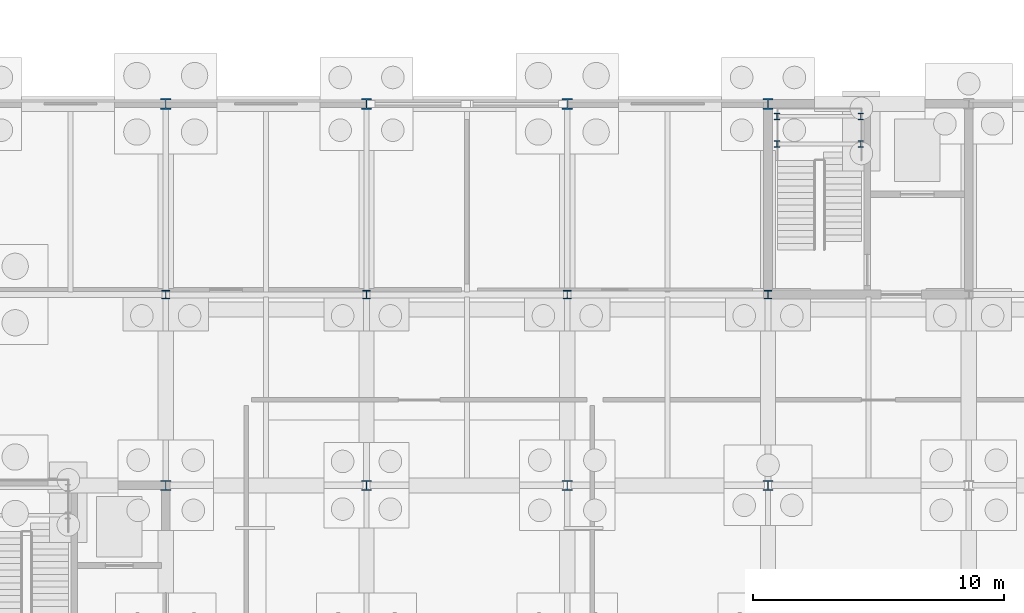
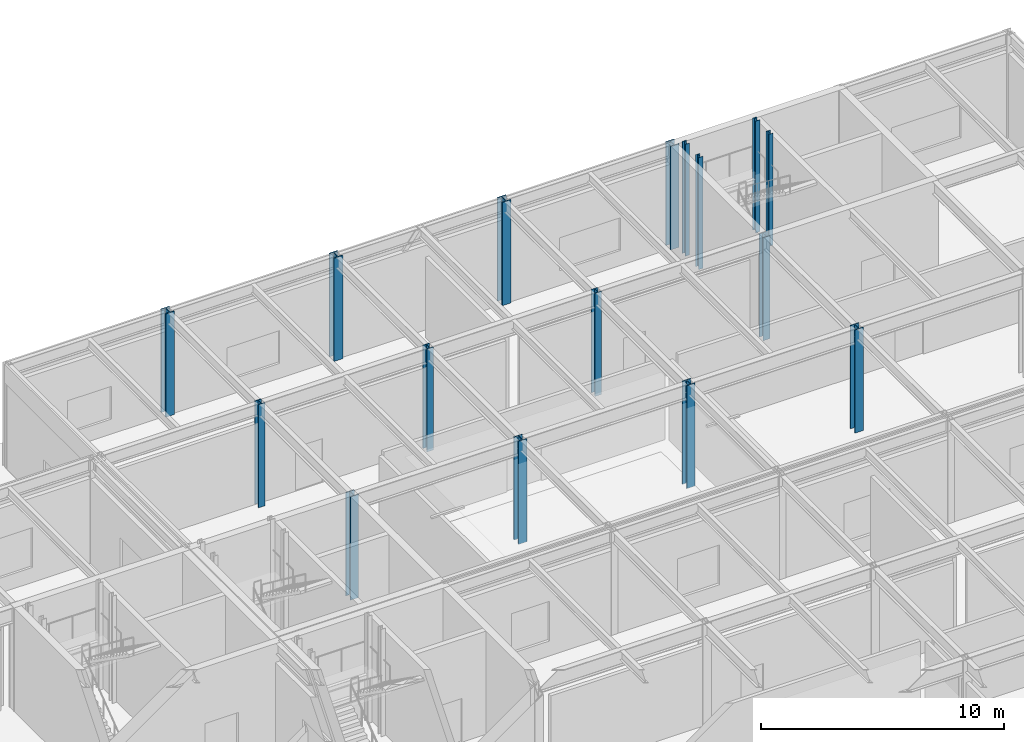
# One storey, part 26 of 62: 16 columns.
"""IFC4 building model written with IfcOpenShell, lengths in metres."""

from ifc_helpers import new_model, si_unit, direction, frame, origin, origin_2d, place, context, subcontext, project, spatial, i_section, extrude, material, material_profile, profile_set, type_object, element, save


model = new_model("IFC4")

# Units and contexts
model_context = context("Model", 3, precision=1e-05, world=origin(), true_north=direction((0.0, 1.0)))
body_context = subcontext(model_context, "Body", "Model", "MODEL_VIEW")
ifc_project = project(units=[si_unit("LENGTHUNIT", "METRE"), si_unit("AREAUNIT", "SQUARE_METRE"), si_unit("VOLUMEUNIT", "CUBIC_METRE"), si_unit("PLANEANGLEUNIT", "RADIAN"), si_unit("MASSUNIT", "GRAM", prefix="KILO")], contexts=[model_context])

# Site, building, storey
site_placement = place(None, origin())
site = spatial("IfcSite", under=ifc_project, at=site_placement, CompositionType="ELEMENT")
building_placement = place(site_placement, origin())
building = spatial("IfcBuilding", under=site, at=building_placement, Name="Zulena Civic Courthouse", CompositionType="ELEMENT")
storey_placement = place(building_placement, origin())
storey = spatial("IfcBuildingStorey", under=building, at=storey_placement, Name="L00", CompositionType="ELEMENT", Elevation=0.0)

# Columns
ifc_material = material(Name="Steel ASTM A992 Grade 50", Category="steel")
ifc_material_profile_1 = material_profile(ifc_material, i_section(OverallWidth=0.2041015625, OverallDepth=0.257080078125, WebThickness=0.0087890625, FlangeThickness=0.015625, FilletRadius=0.0126953125, at=origin_2d()), Name="W10X45")
ifc_profile_set_1 = profile_set([ifc_material_profile_1], Name="Steel ASTM A992 Grade 50")
column_type_1 = type_object("IfcColumnType", Name="Col_W10X45", PredefinedType="COLUMN", material=ifc_profile_set_1)
for number, where, z_axis, x_axis, name in (
    (1, (156.360107421875, 51.60009765625, -0.22998046875), (0.0, 0.0, 1.0), (1.0, 0.0, 0.0), "col:lnd:K3B:L00:0:0"),
    (2, (159.699951171875, 51.60009765625, -0.22998046875), (0.0, 0.0, 1.0), (1.0, 0.0, 0.0), "col:lnd:K3B:L00:0:1"),
    (3, (156.360107421875, 52.699951171875, -0.22998046875), (0.0, 0.0, 1.0), (1.0, 0.0, 0.0), "col:lnd:K3B:L00:1:0"),
    (4, (159.699951171875, 52.699951171875, -0.22998046875), (0.0, 0.0, 1.0), (1.0, 0.0, 0.0), "col:lnd:K3B:L00:1:1"),
):
    element("IfcColumn", number, at=place(storey_placement, frame(where, z_axis=z_axis, x_axis=x_axis)), inside=storey, type_object=column_type_1, Name=name, PredefinedType="COLUMN", context=body_context, shape_type="SweptSolid", body=[
        extrude(i_section(OverallWidth=0.2041015625, OverallDepth=0.257080078125, WebThickness=0.0087890625, FlangeThickness=0.015625, FilletRadius=0.0126953125, at=origin_2d()), origin(), (0.0, 0.0, 1.0), 5.625),
    ])
ifc_material_profile_2 = material_profile(ifc_material, i_section(OverallWidth=0.31298828125, OverallDepth=0.3330078125, WebThickness=0.01806640625, FlangeThickness=0.0283203125, FilletRadius=0.01513671875, at=origin_2d()), Name="W12X120")
ifc_profile_set_2 = profile_set([ifc_material_profile_2], Name="Steel ASTM A992 Grade 50")
column_type_2 = type_object("IfcColumnType", Name="Col_W12X120", PredefinedType="COLUMN", material=ifc_profile_set_2)
for number, where, z_axis, x_axis, name in (
    (5, (132.0, 45.60009765625, 0.0), (0.0, 0.0, 1.0), (1.0, 0.0, 0.0), "col:V3:L00:132.0:45.6"),
    (6, (140.0, 45.60009765625, 0.0), (0.0, 0.0, 1.0), (1.0, 0.0, 0.0), "col:V3:L00:140.0:45.6"),
    (7, (148.0, 45.60009765625, 0.0), (0.0, 0.0, 1.0), (1.0, 0.0, 0.0), "col:V3:L00:148.0:45.6"),
    (8, (156.0, 45.60009765625, 0.0), (0.0, 0.0, 1.0), (1.0, 0.0, 0.0), "col:V3:L00:156.0:45.6"),
):
    element("IfcColumn", number, at=place(storey_placement, frame(where, z_axis=z_axis, x_axis=x_axis)), inside=storey, type_object=column_type_2, Name=name, PredefinedType="COLUMN", context=body_context, shape_type="SweptSolid", body=[
        extrude(i_section(OverallWidth=0.31298828125, OverallDepth=0.3330078125, WebThickness=0.01806640625, FlangeThickness=0.0283203125, FilletRadius=0.01513671875, at=origin_2d()), origin(), (0.0, 0.0, 1.0), 5.18505859375),
    ])
ifc_material_profile_3 = material_profile(ifc_material, i_section(OverallWidth=0.40087890625, OverallDepth=0.39892578125, WebThickness=0.02490234375, FlangeThickness=0.03955078125, FilletRadius=0.01513671875, at=origin_2d()), Name="W14X211")
ifc_profile_set_3 = profile_set([ifc_material_profile_3], Name="Steel ASTM A992 Grade 50")
column_type_3 = type_object("IfcColumnType", Name="Col_W14X211", PredefinedType="COLUMN", material=ifc_profile_set_3)
for number, where, z_axis, x_axis, name in (
    (9, (132.0, 38.0, 0.0), (0.0, 0.0, 1.0), (1.0, 0.0, 0.0), "col:V3:L00:132.0:38.0"),
    (10, (140.0, 38.0, 0.0), (0.0, 0.0, 1.0), (1.0, 0.0, 0.0), "col:V3:L00:140.0:38.0"),
    (11, (148.0, 38.0, 0.0), (0.0, 0.0, 1.0), (1.0, 0.0, 0.0), "col:V3:L00:148.0:38.0"),
    (12, (156.0, 38.0, 0.0), (0.0, 0.0, 1.0), (1.0, 0.0, 0.0), "col:V3:L00:156.0:38.0"),
):
    element("IfcColumn", number, at=place(storey_placement, frame(where, z_axis=z_axis, x_axis=x_axis)), inside=storey, type_object=column_type_3, Name=name, PredefinedType="COLUMN", context=body_context, shape_type="SweptSolid", body=[
        extrude(i_section(OverallWidth=0.40087890625, OverallDepth=0.39892578125, WebThickness=0.02490234375, FlangeThickness=0.03955078125, FilletRadius=0.01513671875, at=origin_2d()), origin(), (0.0, 0.0, 1.0), 5.18505859375),
    ])
ifc_material_profile_4 = material_profile(ifc_material, i_section(OverallWidth=0.412109375, OverallDepth=0.43505859375, WebThickness=0.035888671875, FlangeThickness=0.057373046875, FilletRadius=0.01513671875, at=origin_2d()), Name="W14X311")
ifc_profile_set_4 = profile_set([ifc_material_profile_4], Name="Steel ASTM A992 Grade 50")
column_type_4 = type_object("IfcColumnType", Name="Col_W14X311", PredefinedType="COLUMN", material=ifc_profile_set_4)
for number, where, z_axis, x_axis, name in (
    (13, (132.0, 53.199951171875, 0.0), (0.0, 0.0, 1.0), (1.0, 0.0, 0.0), "col:V3:L00:132.0:53.2"),
    (14, (140.0, 53.199951171875, 0.0), (0.0, 0.0, 1.0), (1.0, 0.0, 0.0), "col:V3:L00:140.0:53.2"),
    (15, (148.0, 53.199951171875, 0.0), (0.0, 0.0, 1.0), (1.0, 0.0, 0.0), "col:V3:L00:148.0:53.2"),
    (16, (156.0, 53.199951171875, 0.0), (0.0, 0.0, 1.0), (1.0, 0.0, 0.0), "col:V3:L00:156.0:53.2"),
):
    element("IfcColumn", number, at=place(storey_placement, frame(where, z_axis=z_axis, x_axis=x_axis)), inside=storey, type_object=column_type_4, Name=name, PredefinedType="COLUMN", context=body_context, shape_type="SweptSolid", body=[
        extrude(i_section(OverallWidth=0.412109375, OverallDepth=0.43505859375, WebThickness=0.035888671875, FlangeThickness=0.057373046875, FilletRadius=0.01513671875, at=origin_2d()), origin(), (0.0, 0.0, 1.0), 5.18505859375),
    ])

save(model, "model.ifc")
